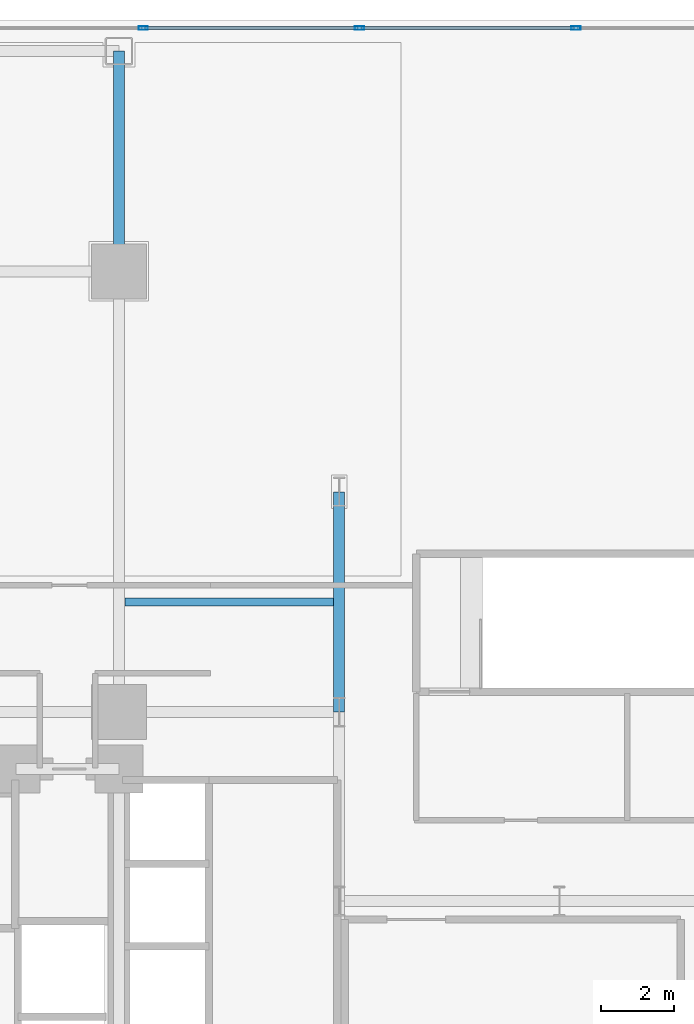
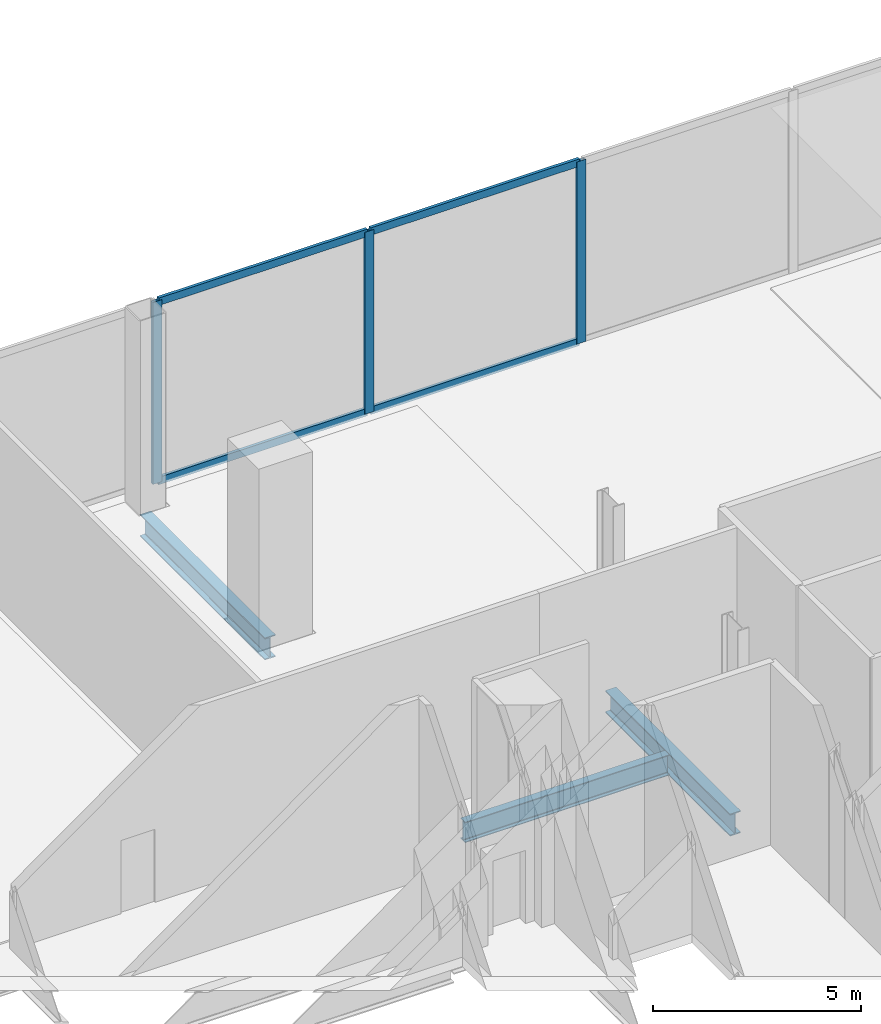
# One storey, part 15 of 27: 7 members, 3 beams, 1 element without a shape of its own.
"""IFC4 building model written with IfcOpenShell, lengths in metres."""

from ifc_helpers import new_model, si_unit, direction, frame, origin, origin_2d, place, context, subcontext, project, spatial, hollow_rectangle, i_section, extrude, material, layer, layer_set, material_profile, profile_set, type_object, element, aggregate, save


model = new_model("IFC4")

# Units and contexts
model_context = context("Model", 3, precision=1e-05, world=origin(), true_north=direction((0.0, 1.0)))
body_context = subcontext(model_context, "Body", "Model", "MODEL_VIEW")
ifc_project = project(units=[si_unit("LENGTHUNIT", "METRE"), si_unit("AREAUNIT", "SQUARE_METRE"), si_unit("VOLUMEUNIT", "CUBIC_METRE"), si_unit("PLANEANGLEUNIT", "RADIAN"), si_unit("MASSUNIT", "GRAM", prefix="KILO"), si_unit("THERMODYNAMICTEMPERATUREUNIT", "KELVIN"), si_unit("POWERUNIT", "WATT")], contexts=[model_context])

# Site, building, storey
site_placement = place(None, origin())
site = spatial("IfcSite", under=ifc_project, at=site_placement, CompositionType="ELEMENT")
building_placement = place(site_placement, origin())
building = spatial("IfcBuilding", under=site, at=building_placement, Name="Svarakhadi Broadcast Tower", CompositionType="ELEMENT")
storey_placement = place(building_placement, frame((0.0, 0.0, 21.89990234375)))
storey = spatial("IfcBuildingStorey", under=building, at=storey_placement, Name="L04", CompositionType="ELEMENT", Elevation=21.89990234375)

# Beam
ifc_material_1 = material(Name="Steel S355J2 (IS 2062 E350C)", Category="steel")
ifc_material_profile_1 = material_profile(ifc_material_1, i_section(OverallWidth=0.219970703125, OverallDepth=0.60009765625, WebThickness=0.011962890625, FlangeThickness=0.01904296875, FilletRadius=0.02392578125, at=origin_2d()), Name="NPB 600x220x122")
ifc_profile_set_1 = profile_set([ifc_material_profile_1], Name="Steel S355J2 (IS 2062 E350C)")
beam_type_1 = type_object("IfcBeamType", Name="Beam_NPB600", PredefinedType="BEAM", material=ifc_profile_set_1)
beam_placement = place(storey_placement, frame((18.159912109375, 32.14990234375, -0.574951171875), z_axis=(1.0, 0.0, 0.0), x_axis=(0.0, 1.0, 0.0)))
element("IfcBeam", 1, at=beam_placement, inside=storey, type_object=beam_type_1, Name="L04 Secondary Composite Beam SB016", PredefinedType="BEAM", context=body_context, shape_type="SweptSolid", body=[
    extrude(i_section(OverallWidth=0.219970703125, OverallDepth=0.60009765625, WebThickness=0.011962890625, FlangeThickness=0.01904296875, FilletRadius=0.02392578125, at=origin_2d()), origin(), (0.0, 0.0, 1.0), 5.68017578125),
])

# Curtain wall, members
ifc_material_2 = material(Name="Anodised Bronze Aluminium AA 6063-T6", Category="aluminium")
ifc_layer = layer(ifc_material_2, 0.25)
ifc_layer_set = layer_set([ifc_layer], Name="Anodised Bronze Aluminium AA 6063-T6")
curtain_wall_type = type_object("IfcCurtainWallType", Name="CW_Sys_01", PredefinedType="NOTDEFINED", material=ifc_layer_set)
curtain_wall_placement = place(storey_placement, origin())
curtain_wall = element("IfcCurtainWall", 2, at=curtain_wall_placement, inside=storey, type_object=curtain_wall_type, Name="L04 Unitised Facade Curtain Wall 05 Bay 2", PredefinedType="NOTDEFINED")
ifc_material_profile_2 = material_profile(ifc_material_2, hollow_rectangle(XDim=0.094970703125, YDim=0.25, WallThickness=0.006103515625, at=origin_2d()), Name="ALU MULLION 250x95x6")
ifc_profile_set_2 = profile_set([ifc_material_profile_2], Name="Anodised Bronze Aluminium AA 6063-T6")
member_type_1 = type_object("IfcMemberType", Name="CW_Sys_01_Mul", PredefinedType="MULLION", material=ifc_profile_set_2)
member_1_placement = place(storey_placement, frame((18.66259765625, 47.780029296875, 0.0), z_axis=(0.0, 0.0, 1.0), x_axis=(0.0, 1.0, 0.0)))
member_1 = element("IfcMember", 3, at=member_1_placement, type_object=member_type_1, Name="CW-01 mullion 2", PredefinedType="MULLION", context=body_context, shape_type="SweptSolid", body=[
    extrude(hollow_rectangle(XDim=0.094970703125, YDim=0.25, WallThickness=0.006103515625, at=origin_2d()), origin(), (0.0, 0.0, 1.0), 5.35009765625),
])
member_2_placement = place(storey_placement, frame((24.554931640625, 47.780029296875, 0.0), z_axis=(0.0, 0.0, 1.0), x_axis=(0.0, 1.0, 0.0)))
member_2 = element("IfcMember", 4, at=member_2_placement, type_object=member_type_1, Name="CW-01 mullion 3", PredefinedType="MULLION", context=body_context, shape_type="SweptSolid", body=[
    extrude(hollow_rectangle(XDim=0.094970703125, YDim=0.25, WallThickness=0.006103515625, at=origin_2d()), origin(), (0.0, 0.0, 1.0), 5.35009765625),
])
member_3_placement = place(storey_placement, frame((30.447509765625, 47.780029296875, 0.0), z_axis=(0.0, 0.0, 1.0), x_axis=(0.0, 1.0, 0.0)))
member_3 = element("IfcMember", 5, at=member_3_placement, type_object=member_type_1, Name="CW-01 mullion 4", PredefinedType="MULLION", context=body_context, shape_type="SweptSolid", body=[
    extrude(hollow_rectangle(XDim=0.094970703125, YDim=0.25, WallThickness=0.006103515625, at=origin_2d()), origin(), (0.0, 0.0, 1.0), 5.35009765625),
])
ifc_material_profile_3 = material_profile(ifc_material_2, hollow_rectangle(XDim=0.0849609375, YDim=0.219970703125, WallThickness=0.0048828125, at=origin_2d()), Name="ALU TRANSOM 220x85x5")
ifc_profile_set_3 = profile_set([ifc_material_profile_3], Name="Anodised Bronze Aluminium AA 6063-T6")
member_type_2 = type_object("IfcMemberType", Name="CW_Sys_01_Trn", PredefinedType="USERDEFINED", material=ifc_profile_set_3)
member_4_placement = place(storey_placement, frame((18.7099609375, 47.780029296875, 0.04248046875), z_axis=(1.0, 0.0, 0.0), x_axis=(0.0, 1.0, 0.0)))
member_4 = element("IfcMember", 6, at=member_4_placement, type_object=member_type_2, Name="CW-01 transom 2.1", ObjectType="TRANSOM", PredefinedType="USERDEFINED", context=body_context, shape_type="SweptSolid", body=[
    extrude(hollow_rectangle(XDim=0.0849609375, YDim=0.219970703125, WallThickness=0.0048828125, at=origin_2d()), origin(), (0.0, 0.0, 1.0), 5.797607421875),
])
member_5_placement = place(storey_placement, frame((18.7099609375, 47.780029296875, 5.3076171875), z_axis=(1.0, 0.0, 0.0), x_axis=(0.0, 1.0, 0.0)))
member_5 = element("IfcMember", 7, at=member_5_placement, type_object=member_type_2, Name="CW-01 transom 2.2", ObjectType="TRANSOM", PredefinedType="USERDEFINED", context=body_context, shape_type="SweptSolid", body=[
    extrude(hollow_rectangle(XDim=0.0849609375, YDim=0.219970703125, WallThickness=0.0048828125, at=origin_2d()), origin(), (0.0, 0.0, 1.0), 5.797607421875),
])
member_6_placement = place(storey_placement, frame((24.6025390625, 47.780029296875, 0.04248046875), z_axis=(1.0, 0.0, 0.0), x_axis=(0.0, 1.0, 0.0)))
member_6 = element("IfcMember", 8, at=member_6_placement, type_object=member_type_2, Name="CW-01 transom 3.1", ObjectType="TRANSOM", PredefinedType="USERDEFINED", context=body_context, shape_type="SweptSolid", body=[
    extrude(hollow_rectangle(XDim=0.0849609375, YDim=0.219970703125, WallThickness=0.0048828125, at=origin_2d()), origin(), (0.0, 0.0, 1.0), 5.79736328125),
])
member_7_placement = place(storey_placement, frame((24.6025390625, 47.780029296875, 5.3076171875), z_axis=(1.0, 0.0, 0.0), x_axis=(0.0, 1.0, 0.0)))
member_7 = element("IfcMember", 9, at=member_7_placement, type_object=member_type_2, Name="CW-01 transom 3.2", ObjectType="TRANSOM", PredefinedType="USERDEFINED", context=body_context, shape_type="SweptSolid", body=[
    extrude(hollow_rectangle(XDim=0.0849609375, YDim=0.219970703125, WallThickness=0.0048828125, at=origin_2d()), origin(), (0.0, 0.0, 1.0), 5.79736328125),
])
aggregate(curtain_wall, [member_1, member_2, member_3, member_4, member_5, member_6, member_7])

# Beams
ifc_material_profile_4 = material_profile(ifc_material_1, i_section(OverallWidth=0.300048828125, OverallDepth=0.64990234375, WebThickness=0.01611328125, FlangeThickness=0.031005859375, FilletRadius=0.027099609375, at=origin_2d()), Name="WPB 650x300x225")
ifc_profile_set_4 = profile_set([ifc_material_profile_4], Name="Steel S355J2 (IS 2062 E350C)")
beam_type_2 = type_object("IfcBeamType", Name="Girder_WPB650", PredefinedType="USERDEFINED", material=ifc_profile_set_4)
for number, where, z_axis, x_axis, name in (
    (10, (18.0, 41.14990234375, -0.599853515625), (0.0, 1.0, 0.0), (-1.0, 0.0, 0.0), "L04 Primary N-S Girder G063"),
    (11, (24.0, 29.14990234375, -0.599853515625), (0.0, 1.0, 0.0), (-1.0, 0.0, 0.0), "L04 Primary N-S Girder G069"),
):
    element("IfcBeam", number, at=place(storey_placement, frame(where, z_axis=z_axis, x_axis=x_axis)), inside=storey, type_object=beam_type_2, Name=name, ObjectType="GIRDER", PredefinedType="USERDEFINED", context=body_context, shape_type="SweptSolid", body=[
        extrude(i_section(OverallWidth=0.300048828125, OverallDepth=0.64990234375, WebThickness=0.01611328125, FlangeThickness=0.031005859375, FilletRadius=0.027099609375, at=origin_2d()), origin(), (0.0, 0.0, 1.0), 6.0),
    ])

save(model, "model.ifc")
